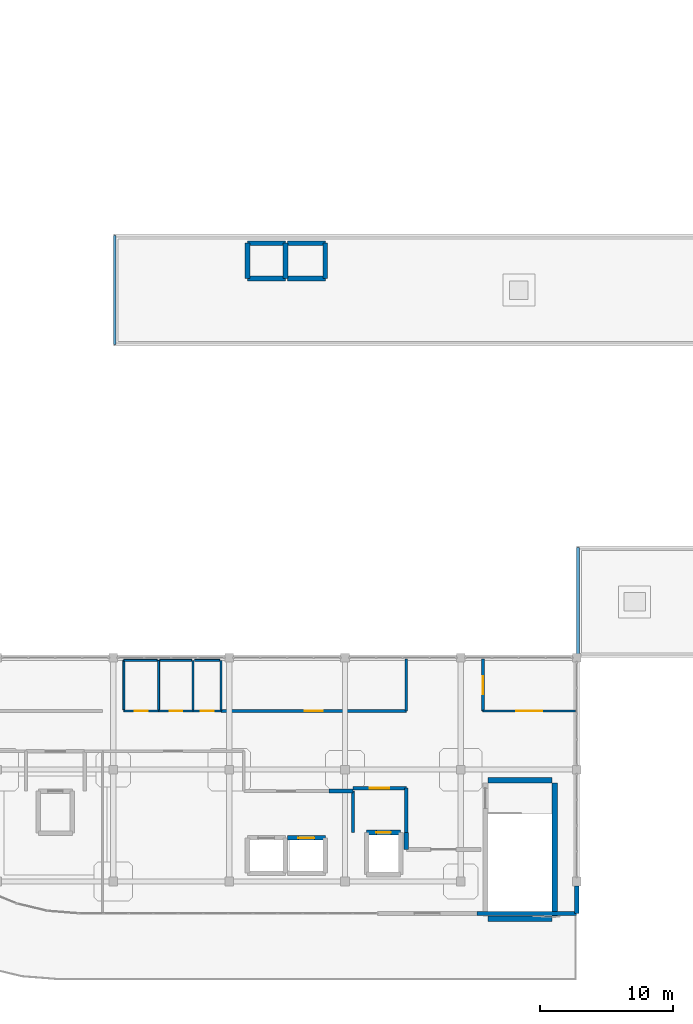
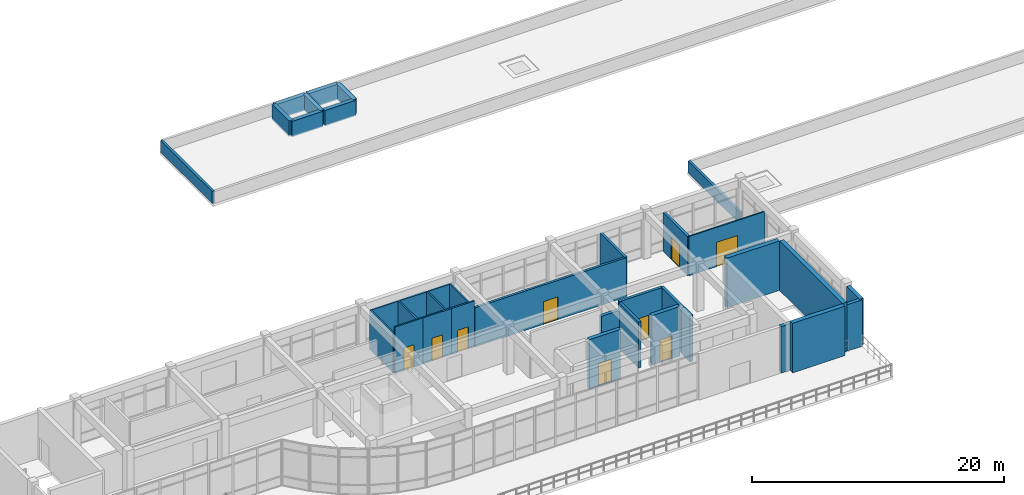
# One storey, part 37 of 41: 35 walls, 9 doors, 9 openings.
"""IFC4 building model written with IfcOpenShell, lengths in metres."""

import ifcopenshell
import ifcopenshell.guid

model = None  # the IFC model being written
_history = None  # IfcOwnerHistory: only IFC2X3 demands one
_inside = {}  # id of a spatial element -> (the spatial element, [elements in it])
_under = {}  # id of a project, library or spatial element -> (it, [spatial elements below it])
_declared = {}  # id of a project -> (the project, [libraries it declares])
_typed = {}  # id of a type object -> (the type object, [elements of that type])
_made_of = {}  # id of a material, layer set ... -> (it, [elements and type objects made of it])


def new_model(schema):
    """Start an empty IFC model of exactly this schema.

    Asked for "IFC4X3", IfcOpenShell would pick the latest addendum, in which some entities
    have other attributes; the version numbers below select the first issue.
    IFC2X3 requires an IfcOwnerHistory on every rooted entity: one is made here for all.
    """
    global model, _history
    if schema == "IFC4X3":
        model = ifcopenshell.file(schema_version=(4, 3, 0, 0))
    else:
        model = ifcopenshell.file(schema=schema)
    _inside.clear()
    _under.clear()
    _declared.clear()
    _typed.clear()
    _made_of.clear()
    _history = None
    if model.schema == "IFC2X3":
        org = make("IfcOrganization", Name="unknown")
        user = make(
            "IfcPersonAndOrganization",
            ThePerson=make("IfcPerson", FamilyName="unknown"),
            TheOrganization=org,
        )
        app = make(
            "IfcApplication",
            ApplicationDeveloper=org,
            Version="unknown",
            ApplicationFullName="unknown",
            ApplicationIdentifier="unknown",
        )
        _history = make(
            "IfcOwnerHistory",
            OwningUser=user,
            OwningApplication=app,
            ChangeAction="ADDED",
            CreationDate=0,
        )
    return model


def make(cls, **values):
    """One entity of the class cls with the attributes given. An attribute that is None is left unset."""
    return model.create_entity(
        cls, **{name: value for name, value in values.items() if value is not None}
    )


def rooted(cls, **values):
    """An entity with a GlobalId (a new one), such as an element, a storey or a relation."""
    return make(cls, GlobalId=ifcopenshell.guid.new(), OwnerHistory=_history, **values)


def si_unit(unit_type, name, prefix=None):
    """IfcSIUnit, for example si_unit("LENGTHUNIT", "METRE", prefix="MILLI")."""
    return make("IfcSIUnit", UnitType=unit_type, Prefix=prefix, Name=name)


def derived_unit(unit_type, elements):
    """IfcDerivedUnit: a product of units, each with its exponent."""
    return make(
        "IfcDerivedUnit",
        Elements=[
            make("IfcDerivedUnitElement", Unit=unit, Exponent=power)
            for unit, power in elements
        ],
        UnitType=unit_type,
    )


def assignment(units):
    """IfcUnitAssignment: the units of a project."""
    return None if units is None else make("IfcUnitAssignment", Units=units)


def point(xyz):
    """IfcCartesianPoint."""
    return None if xyz is None else make("IfcCartesianPoint", Coordinates=xyz)


def direction(xyz):
    """IfcDirection."""
    return None if xyz is None else make("IfcDirection", DirectionRatios=xyz)


def frame(location, z_axis=None, x_axis=None):
    """IfcAxis2Placement3D, a coordinate frame: its origin and axes. An axis left out is left unset."""
    return make(
        "IfcAxis2Placement3D",
        Location=point(location),
        Axis=direction(z_axis),
        RefDirection=direction(x_axis),
    )


def frame_2d(location, x_axis=None):
    """IfcAxis2Placement2D, a coordinate frame in the plane: its origin and x axis."""
    return make(
        "IfcAxis2Placement2D", Location=point(location), RefDirection=direction(x_axis)
    )


def origin():
    """The frame at (0, 0, 0) with its axes left unset."""
    return frame((0.0, 0.0, 0.0))


def place(relative_to, where):
    """IfcLocalPlacement: puts the frame where relative to a parent placement (None: the world)."""
    return make(
        "IfcLocalPlacement", PlacementRelTo=relative_to, RelativePlacement=where
    )


def context(
    kind, dimensions, precision=None, world=None, true_north=None, identifier=None
):
    """IfcGeometricRepresentationContext, for example the 3D "Model" context."""
    return make(
        "IfcGeometricRepresentationContext",
        ContextIdentifier=identifier,
        ContextType=kind,
        CoordinateSpaceDimension=dimensions,
        Precision=precision,
        WorldCoordinateSystem=world,
        TrueNorth=true_north,
    )


def subcontext(parent, identifier, kind, view, scale=None):
    """IfcGeometricRepresentationSubContext, for example "Body" below "Model"."""
    return make(
        "IfcGeometricRepresentationSubContext",
        ContextIdentifier=identifier,
        ContextType=kind,
        ParentContext=parent,
        TargetScale=scale,
        TargetView=view,
    )


def project(units=None, contexts=None):
    """IfcProject with its units and contexts."""
    return rooted(
        "IfcProject",
        Name="project",
        RepresentationContexts=contexts,
        UnitsInContext=assignment(units),
    )


def spatial(cls, under=None, at=None, **own):
    """A site, building, storey or space (cls), placed at a placement, below another one or the project."""
    s = rooted(cls, ObjectPlacement=at, **own)
    if under is not None:
        _under.setdefault(under.id(), (under, []))[1].append(s)
    return s


def profile(cls, at=None, kind="AREA", **sizes):
    """A parametric profile (cls). Its sizes go by their IFC names, for example OverallWidth=200.0."""
    return make(cls, ProfileType=kind, Position=at, **sizes)


def rectangle(**sizes):
    """IfcRectangleProfileDef."""
    return profile("IfcRectangleProfileDef", **sizes)


def extrude(swept, where, along, depth):
    """IfcExtrudedAreaSolid: the profile swept, set in the frame where, extruded along a direction by depth."""
    return make(
        "IfcExtrudedAreaSolid",
        SweptArea=swept,
        Position=where,
        ExtrudedDirection=direction(along),
        Depth=depth,
    )


def shape(context_of_items, identifier, shape_type, items):
    """IfcShapeRepresentation: the items that make up one representation, for example the "Body"."""
    return make(
        "IfcShapeRepresentation",
        ContextOfItems=context_of_items,
        RepresentationIdentifier=identifier,
        RepresentationType=shape_type,
        Items=items,
    )


def material(Name=None, Category=None):
    """IfcMaterial."""
    return make("IfcMaterial", Name=Name, Category=Category)


def layer(
    of_material, thickness, ventilated=None, Name=None, Category=None, Priority=None
):
    """IfcMaterialLayer: one layer of a wall or slab, of a material (None: an air gap)."""
    return make(
        "IfcMaterialLayer",
        Material=of_material,
        LayerThickness=thickness,
        IsVentilated=ventilated,
        Name=Name,
        Category=Category,
        Priority=Priority,
    )


def layer_set(layers, Name=None):
    """IfcMaterialLayerSet."""
    return make("IfcMaterialLayerSet", MaterialLayers=layers, LayerSetName=Name)


def made_of(thing, what):
    """Note that an element or type object is made of a material, layer set ...; save() writes the relation."""
    if what is not None:
        _made_of.setdefault(what.id(), (what, []))[1].append(thing)
    return thing


def type_object(cls, material=None, **own):
    """A type object (cls), such as IfcWallType, which elements share."""
    return made_of(rooted(cls, **own), material)


def element(
    cls,
    number,
    at=None,
    inside=None,
    cuts=None,
    type_object=None,
    material=None,
    context=None,
    identifier="Body",
    shape_type=None,
    held_by="IfcProductDefinitionShape",
    body=None,
    shapes=None,
    **own,
):
    """One element of the class cls, such as IfcWall. Its Tag is "e" and its number.

    at: its placement. inside: the storey or other place that contains it. cuts: it is an
    opening in that element (IfcRelVoidsElement). A single representation is given by context,
    identifier, shape_type and body (its items); several are given by shapes. held_by: the class
    of the entity that holds the representations. save() writes the other relations.
    """
    e = rooted(cls, Tag="e%d" % number, ObjectPlacement=at, **own)
    if body is not None:
        shapes = [shape(context, identifier, shape_type, body)]
    if shapes is not None:
        e.Representation = make(held_by, Representations=shapes)
    if inside is not None:
        _inside.setdefault(inside.id(), (inside, []))[1].append(e)
    if cuts is not None:
        rooted(
            "IfcRelVoidsElement", RelatingBuildingElement=cuts, RelatedOpeningElement=e
        )
    if type_object is not None:
        _typed.setdefault(type_object.id(), (type_object, []))[1].append(e)
    return made_of(e, material)


def fill(opening, filler):
    """IfcRelFillsElement: the door or window that sits in an opening."""
    return rooted(
        "IfcRelFillsElement",
        RelatingOpeningElement=opening,
        RelatedBuildingElement=filler,
    )


def aggregate(whole, parts):
    """IfcRelAggregates: a whole, such as a stair, and the parts it consists of."""
    return rooted("IfcRelAggregates", RelatingObject=whole, RelatedObjects=parts)


def save(model, path):
    """Write the relations noted so far, then the file.

    IfcRelAggregates (storeys below a building ...), IfcRelContainedInSpatialStructure (elements
    in a storey), IfcRelDefinesByType, IfcRelAssociatesMaterial and IfcRelDeclares: one each for
    every whole, place, type object, material and project.
    """
    for whole, parts in _under.values():
        aggregate(whole, parts)
    for where, things in _inside.values():
        rooted(
            "IfcRelContainedInSpatialStructure",
            RelatedElements=things,
            RelatingStructure=where,
        )
    for kind, things in _typed.values():
        rooted("IfcRelDefinesByType", RelatedObjects=things, RelatingType=kind)
    for what, things in _made_of.values():
        rooted("IfcRelAssociatesMaterial", RelatedObjects=things, RelatingMaterial=what)
    for by, libraries in _declared.values():
        rooted("IfcRelDeclares", RelatingContext=by, RelatedDefinitions=libraries)
    model.write(path)


model = new_model("IFC4")

# Units and contexts
model_context = context("Model", 3, precision=1e-05, world=origin(), true_north=direction((0.0, 1.0)))
body_context = subcontext(model_context, "Body", "Model", "MODEL_VIEW")
ifc_project = project(units=[si_unit("LENGTHUNIT", "METRE"), si_unit("AREAUNIT", "SQUARE_METRE"), si_unit("VOLUMEUNIT", "CUBIC_METRE"), si_unit("PLANEANGLEUNIT", "RADIAN"), si_unit("MASSUNIT", "GRAM", prefix="KILO"), derived_unit("THERMALTRANSMITTANCEUNIT", [(si_unit("MASSUNIT", "GRAM", prefix="KILO"), 1), (si_unit("TIMEUNIT", "SECOND"), -3), (si_unit("THERMODYNAMICTEMPERATUREUNIT", "KELVIN"), -1)])], contexts=[model_context])

# Site, building, storey
site_placement = place(None, origin())
site = spatial("IfcSite", under=ifc_project, at=site_placement, CompositionType="ELEMENT")
building_placement = place(site_placement, origin())
building = spatial("IfcBuilding", under=site, at=building_placement, Name="Qinzheling Arcade Emporium", CompositionType="ELEMENT")
storey_placement = place(building_placement, frame((0.0, 0.0, 36.300048828125)))
storey = spatial("IfcBuildingStorey", under=building, at=storey_placement, Name="L08", CompositionType="ELEMENT", Elevation=36.300048828125)

# Wall, opening, door
ifc_material_1 = material(Name="Double-stud acoustic gypsum board partition")
ifc_layer_1 = layer(ifc_material_1, 0.215087890625, Name="Double-stud acoustic gypsum board partition")
ifc_layer_set_1 = layer_set([ifc_layer_1], Name="Double-stud acoustic gypsum board partition")
wall_type_1 = type_object("IfcWallType", Name="Acoustic Corridor Partition Wall 215", PredefinedType="PARTITIONING", material=ifc_layer_set_1)
wall_1_placement = place(storey_placement, frame((62.550048828125, 41.89990234375, 0.0), z_axis=(0.0, 0.0, 1.0), x_axis=(0.0, -1.0, 0.0)))
wall_1 = element("IfcWall", 1, at=wall_1_placement, inside=storey, type_object=wall_type_1, Name="Interior Wall WL-L08-INT-1010", PredefinedType="PARTITIONING", context=body_context, shape_type="SweptSolid", body=[
    extrude(rectangle(XDim=3.89990234375, YDim=0.215087890625, at=frame_2d((1.949951171875, 0.0))), origin(), (0.0, 0.0, 1.0), 3.800048828125),
])
opening_1_placement = place(wall_1_placement, frame((1.27490234375, 0.0, 0.0)))
opening_1 = element("IfcOpeningElement", 2, at=opening_1_placement, cuts=wall_1, Name="Opening FD05", PredefinedType="OPENING", context=body_context, shape_type="SweptSolid", body=[
    extrude(rectangle(XDim=1.35009765625, YDim=2.199951171875, at=frame_2d((0.675048828125, 1.10009765625))), frame((0.0, 0.11767578125, 0.0), z_axis=(0.0, -1.0, 0.0), x_axis=(1.0, 0.0, 0.0)), (0.0, 0.0, 1.0), 0.235107421875),
])
ifc_material_2 = material(Name="Class B fire-rated stainless-clad door")
door_type_1 = type_object("IfcDoorType", Name="Kitchen Fire-Rated Service Door 1350x2200", OperationType="NOTDEFINED", PredefinedType="DOOR", material=ifc_material_2)
door_1_placement = place(opening_1_placement, origin())
door_1 = element("IfcDoor", 3, at=door_1_placement, inside=storey, type_object=door_type_1, Name="FD05 Interior Door DR-L08-INT-0298", OperationType="SINGLE_SWING_LEFT", OverallHeight=2.199951171875, OverallWidth=1.35009765625, PredefinedType="DOOR", context=body_context, shape_type="SweptSolid", body=[
    extrude(rectangle(XDim=1.35009765625, YDim=2.199951171875, at=frame_2d((0.675048828125, 1.10009765625))), frame((0.0, 0.02490234375, 0.0), z_axis=(0.0, -1.0, 0.0), x_axis=(1.0, 0.0, 0.0)), (0.0, 0.0, 1.0), 0.050048828125),
])
fill(opening_1, door_1)

wall_2_placement = place(storey_placement, frame((42.89990234375, 38.0, 0.0), z_axis=(0.0, 0.0, 1.0), x_axis=(1.0, 0.0, 0.0)))
wall_2 = element("IfcWall", 4, at=wall_2_placement, inside=storey, type_object=wall_type_1, Name="Interior Wall WL-L08-INT-1011", PredefinedType="PARTITIONING", context=body_context, shape_type="SweptSolid", body=[
    extrude(rectangle(XDim=13.900146484375, YDim=0.215087890625, at=frame_2d((6.9501953125, 0.0))), origin(), (0.0, 0.0, 1.0), 3.800048828125),
])
opening_2_placement = place(wall_2_placement, frame((6.27490234375, 0.0, 0.0)))
opening_2 = element("IfcOpeningElement", 5, at=opening_2_placement, cuts=wall_2, Name="Opening FD05", PredefinedType="OPENING", context=body_context, shape_type="SweptSolid", body=[
    extrude(rectangle(XDim=1.35009765625, YDim=2.199951171875, at=frame_2d((0.675048828125, 1.10009765625))), frame((0.0, 0.11767578125, 0.0), z_axis=(0.0, -1.0, 0.0), x_axis=(1.0, 0.0, 0.0)), (0.0, 0.0, 1.0), 0.235107421875),
])
door_2_placement = place(opening_2_placement, origin())
door_2 = element("IfcDoor", 6, at=door_2_placement, inside=storey, type_object=door_type_1, Name="FD05 Interior Door DR-L08-INT-0299", OperationType="SINGLE_SWING_RIGHT", OverallHeight=2.199951171875, OverallWidth=1.35009765625, PredefinedType="DOOR", context=body_context, shape_type="SweptSolid", body=[
    extrude(rectangle(XDim=1.35009765625, YDim=2.199951171875, at=frame_2d((0.675048828125, 1.10009765625))), frame((0.0, 0.02490234375, 0.0), z_axis=(0.0, -1.0, 0.0), x_axis=(1.0, 0.0, 0.0)), (0.0, 0.0, 1.0), 0.050048828125),
])
fill(opening_2, door_2)

# Walls
wall_3_placement = place(storey_placement, frame((56.800048828125, 38.0, 0.0), z_axis=(0.0, 0.0, 1.0), x_axis=(0.0, 1.0, 0.0)))
element("IfcWall", 7, at=wall_3_placement, inside=storey, type_object=wall_type_1, Name="Interior Wall WL-L08-INT-1012", PredefinedType="PARTITIONING", context=body_context, shape_type="SweptSolid", body=[
    extrude(rectangle(XDim=3.89990234375, YDim=0.215087890625, at=frame_2d((1.949951171875, 0.0))), origin(), (0.0, 0.0, 1.0), 3.800048828125),
])
ifc_material_3 = material(Name="Celadon glazed terracotta insulated spandrel", Category="masonry")
ifc_layer_2 = layer(ifc_material_3, 0.340087890625, Name="Celadon glazed terracotta insulated spandrel", Category="masonry")
ifc_layer_set_2 = layer_set([ifc_layer_2], Name="Celadon glazed terracotta insulated spandrel")
wall_type_2 = type_object("IfcWallType", Name="Celadon Spandrel Infill Wall 340", PredefinedType="STANDARD", material=ifc_layer_set_2)
wall_4_placement = place(storey_placement, frame((69.60009765625, 24.873046875, 0.0), z_axis=(0.0, 0.0, 1.0), x_axis=(0.0, -1.0, 0.0)))
element("IfcWall", 8, at=wall_4_placement, inside=storey, type_object=wall_type_2, Name="Exterior Wall WL-L08-EW-0385", PredefinedType="STANDARD", context=body_context, shape_type="SweptSolid", body=[
    extrude(rectangle(XDim=2.072998046875, YDim=0.340087890625, at=frame_2d((1.03662109375, 0.0))), origin(), (0.0, 0.0, 1.0), 4.489990234375),
])
ifc_material_4 = material(Name="Glazed cream terracotta insulated wall", Category="masonry")
ifc_layer_3 = layer(ifc_material_4, 0.320068359375, Name="Glazed cream terracotta insulated wall", Category="masonry")
ifc_layer_set_3 = layer_set([ifc_layer_3], Name="Glazed cream terracotta insulated wall")
wall_type_3 = type_object("IfcWallType", Name="Chicago Frame Infill Wall 320", PredefinedType="STANDARD", material=ifc_layer_set_3)
wall_5_placement = place(storey_placement, frame((69.60009765625, 22.800048828125, 0.0), z_axis=(0.0, 0.0, 1.0), x_axis=(-1.0, 0.0, 0.0)))
element("IfcWall", 9, at=wall_5_placement, inside=storey, type_object=wall_type_3, Name="Exterior Wall WL-L08-EW-0386", PredefinedType="STANDARD", context=body_context, shape_type="SweptSolid", body=[
    extrude(rectangle(XDim=7.47802734375, YDim=0.320068359375, at=frame_2d((3.739013671875, 0.0))), origin(), (0.0, 0.0, 1.0), 4.489990234375),
])
ifc_material_5 = material(Name="Concrete C40", Category="concrete")
ifc_layer_4 = layer(ifc_material_5, 0.35498046875, Name="Concrete C40", Category="concrete")
ifc_layer_set_4 = layer_set([ifc_layer_4], Name="Concrete C40")
wall_type_4 = type_object("IfcWallType", Name="Exterior Lift Overrun Shear Wall 355 C40", PredefinedType="SHEAR", material=ifc_layer_set_4)
for number, where, z_axis, x_axis, name in (
    (10, (44.875, 73.125, 0.0), (0.0, 0.0, 1.0), (1.0, 0.0, 0.0), "Lift Overrun Wall WL-L08-OVR-LP03-N"),
    (11, (47.72509765625, 70.47509765625, 0.0), (0.0, 0.0, 1.0), (-1.0, 0.0, 0.0), "Lift Overrun Wall WL-L08-OVR-LP03-S"),
):
    element("IfcWall", number, at=place(storey_placement, frame(where, z_axis=z_axis, x_axis=x_axis)), inside=storey, type_object=wall_type_4, Name=name, PredefinedType="SHEAR", context=body_context, shape_type="SweptSolid", body=[
        extrude(rectangle(XDim=2.85009765625, YDim=0.35498046875, at=frame_2d((1.425048828125, 0.0))), origin(), (0.0, 0.0, 1.0), 1.5),
    ])
for number, where, z_axis, x_axis, name in (
    (12, (44.875, 70.47509765625, 0.0), (0.0, 0.0, 1.0), (0.0, 1.0, 0.0), "Lift Overrun Wall WL-L08-OVR-LP03-W"),
    (13, (47.72509765625, 73.125, 0.0), (0.0, 0.0, 1.0), (0.0, -1.0, 0.0), "Lift Overrun Wall WL-L08-OVR-LP03-E"),
):
    element("IfcWall", number, at=place(storey_placement, frame(where, z_axis=z_axis, x_axis=x_axis)), inside=storey, type_object=wall_type_4, Name=name, PredefinedType="SHEAR", context=body_context, shape_type="SweptSolid", body=[
        extrude(rectangle(XDim=2.64990234375, YDim=0.35498046875, at=frame_2d((1.324951171875, 0.0))), origin(), (0.0, 0.0, 1.0), 1.5),
    ])
for number, where, z_axis, x_axis, name in (
    (14, (47.875, 73.125, 0.0), (0.0, 0.0, 1.0), (1.0, 0.0, 0.0), "Lift Overrun Wall WL-L08-OVR-LP04-N"),
    (15, (50.72509765625, 70.47509765625, 0.0), (0.0, 0.0, 1.0), (-1.0, 0.0, 0.0), "Lift Overrun Wall WL-L08-OVR-LP04-S"),
):
    element("IfcWall", number, at=place(storey_placement, frame(where, z_axis=z_axis, x_axis=x_axis)), inside=storey, type_object=wall_type_4, Name=name, PredefinedType="SHEAR", context=body_context, shape_type="SweptSolid", body=[
        extrude(rectangle(XDim=2.85009765625, YDim=0.35498046875, at=frame_2d((1.425048828125, 0.0))), origin(), (0.0, 0.0, 1.0), 1.5),
    ])
wall_6_placement = place(storey_placement, frame((50.72509765625, 73.125, 0.0), z_axis=(0.0, 0.0, 1.0), x_axis=(0.0, -1.0, 0.0)))
element("IfcWall", 16, at=wall_6_placement, inside=storey, type_object=wall_type_4, Name="Lift Overrun Wall WL-L08-OVR-LP04-E", PredefinedType="SHEAR", context=body_context, shape_type="SweptSolid", body=[
    extrude(rectangle(XDim=2.64990234375, YDim=0.35498046875, at=frame_2d((1.324951171875, 0.0))), origin(), (0.0, 0.0, 1.0), 1.5),
])

# Wall, opening, door
ifc_material_6 = material(Name="Fire-rated double-stud gypsum and mineral wool wall")
ifc_layer_5 = layer(ifc_material_6, 0.2451171875, Name="Fire-rated double-stud gypsum and mineral wool wall")
ifc_layer_set_5 = layer_set([ifc_layer_5], Name="Fire-rated double-stud gypsum and mineral wool wall")
wall_type_5 = type_object("IfcWallType", Name="Firefighting Lobby Rated Wall 245", PredefinedType="STANDARD", material=ifc_layer_set_5)
wall_7_placement = place(storey_placement, frame((52.800048828125, 32.199951171875, 0.0), z_axis=(0.0, 0.0, 1.0), x_axis=(1.0, 0.0, 0.0)))
wall_7 = element("IfcWall", 17, at=wall_7_placement, inside=storey, type_object=wall_type_5, Name="Interior Wall WL-L08-INT-0967", PredefinedType="STANDARD", context=body_context, shape_type="SweptSolid", body=[
    extrude(rectangle(XDim=4.0, YDim=0.2451171875, at=frame_2d((2.0, 0.0))), origin(), (0.0, 0.0, 1.0), 4.4599609375),
])
opening_3_placement = place(wall_7_placement, frame((1.27490234375, 0.0, 0.0)))
opening_3 = element("IfcOpeningElement", 18, at=opening_3_placement, cuts=wall_7, Name="Opening FD02", PredefinedType="OPENING", context=body_context, shape_type="SweptSolid", body=[
    extrude(rectangle(XDim=1.449951171875, YDim=2.199951171875, at=frame_2d((0.72509765625, 1.10009765625))), frame((0.0, 0.132568359375, 0.0), z_axis=(0.0, -1.0, 0.0), x_axis=(1.0, 0.0, 0.0)), (0.0, 0.0, 1.0), 0.26513671875),
])
ifc_material_7 = material(Name="Class A fire-rated steel double door", Category="steel")
door_type_2 = type_object("IfcDoorType", Name="Firefighting Lobby Fire Door 1450x2200", OperationType="DOUBLE_DOOR_SINGLE_SWING", PredefinedType="DOOR", material=ifc_material_7)
door_3_placement = place(opening_3_placement, origin())
door_3 = element("IfcDoor", 19, at=door_3_placement, inside=storey, type_object=door_type_2, Name="FD02 Interior Door DR-L08-INT-0284", OperationType="DOUBLE_DOOR_SINGLE_SWING", OverallHeight=2.199951171875, OverallWidth=1.449951171875, PredefinedType="DOOR", context=body_context, shape_type="SweptSolid", body=[
    extrude(rectangle(XDim=1.449951171875, YDim=2.199951171875, at=frame_2d((0.72509765625, 1.10009765625))), frame((0.0, 0.02490234375, 0.0), z_axis=(0.0, -1.0, 0.0), x_axis=(1.0, 0.0, 0.0)), (0.0, 0.0, 1.0), 0.050048828125),
])
fill(opening_3, door_3)

# Walls
wall_8_placement = place(storey_placement, frame((56.800048828125, 32.199951171875, 0.0), z_axis=(0.0, 0.0, 1.0), x_axis=(0.0, -1.0, 0.0)))
element("IfcWall", 20, at=wall_8_placement, inside=storey, type_object=wall_type_5, Name="Interior Wall WL-L08-INT-0968", PredefinedType="STANDARD", context=body_context, shape_type="SweptSolid", body=[
    extrude(rectangle(XDim=3.320068359375, YDim=0.2451171875, at=frame_2d((1.66015625, 0.0))), origin(), (0.0, 0.0, 1.0), 4.4599609375),
])
wall_9_placement = place(storey_placement, frame((52.800048828125, 28.8798828125, 0.0), z_axis=(0.0, 0.0, 1.0), x_axis=(0.0, 1.0, 0.0)))
element("IfcWall", 21, at=wall_9_placement, inside=storey, type_object=wall_type_5, Name="Interior Wall WL-L08-INT-0969", PredefinedType="STANDARD", context=body_context, shape_type="SweptSolid", body=[
    extrude(rectangle(XDim=3.1201171875, YDim=0.2451171875, at=frame_2d((1.56005859375, 0.0))), origin(), (0.0, 0.0, 1.0), 4.4599609375),
])

# Wall, opening, door
ifc_material_8 = material(Name="Lightweight gypsum studio partition")
ifc_layer_6 = layer(ifc_material_8, 0.125, Name="Lightweight gypsum studio partition")
ifc_layer_set_6 = layer_set([ifc_layer_6], Name="Lightweight gypsum studio partition")
wall_type_6 = type_object("IfcWallType", Name="Merchandising Studio Partition Wall 125", PredefinedType="PARTITIONING", material=ifc_layer_set_6)
wall_10_placement = place(storey_placement, frame((69.5, 38.0, 0.0), z_axis=(0.0, 0.0, 1.0), x_axis=(-1.0, 0.0, 0.0)))
wall_10 = element("IfcWall", 22, at=wall_10_placement, inside=storey, type_object=wall_type_6, Name="Interior Wall WL-L08-INT-1014", PredefinedType="PARTITIONING", context=body_context, shape_type="SweptSolid", body=[
    extrude(rectangle(XDim=6.949951171875, YDim=0.125, at=frame_2d((3.47509765625, 0.0))), origin(), (0.0, 0.0, 1.0), 3.800048828125),
])
opening_4_placement = place(wall_10_placement, frame((2.5, 0.0, 0.0)))
opening_4 = element("IfcOpeningElement", 23, at=opening_4_placement, cuts=wall_10, Name="Opening D02", PredefinedType="OPENING", context=body_context, shape_type="SweptSolid", body=[
    extrude(rectangle(XDim=1.949951171875, YDim=2.35009765625, at=frame_2d((0.97509765625, 1.175048828125))), frame((0.0, 0.072509765625, 0.0), z_axis=(0.0, -1.0, 0.0), x_axis=(1.0, 0.0, 0.0)), (0.0, 0.0, 1.0), 0.14501953125),
])
ifc_material_9 = material(Name="Bronze-framed tempered glass double door", Category="glass")
door_type_3 = type_object("IfcDoorType", Name="Boutique Entrance Double Door 1950x2350", OperationType="DOUBLE_DOOR_SINGLE_SWING", PredefinedType="DOOR", material=ifc_material_9)
door_4_placement = place(opening_4_placement, origin())
door_4 = element("IfcDoor", 24, at=door_4_placement, inside=storey, type_object=door_type_3, Name="D02 Interior Door DR-L08-INT-0305", OperationType="DOUBLE_DOOR_SINGLE_SWING", OverallHeight=2.35009765625, OverallWidth=1.949951171875, PredefinedType="DOOR", context=body_context, shape_type="SweptSolid", body=[
    extrude(rectangle(XDim=1.949951171875, YDim=2.35009765625, at=frame_2d((0.97509765625, 1.175048828125))), frame((0.0, 0.02490234375, 0.0), z_axis=(0.0, -1.0, 0.0), x_axis=(1.0, 0.0, 0.0)), (0.0, 0.0, 1.0), 0.050048828125),
])
fill(opening_4, door_4)

# Walls
ifc_material_10 = material(Name="Moisture-resistant shaftliner gypsum board")
ifc_layer_7 = layer(ifc_material_10, 0.155029296875, Name="Moisture-resistant shaftliner gypsum board")
ifc_layer_set_7 = layer_set([ifc_layer_7], Name="Moisture-resistant shaftliner gypsum board")
wall_type_7 = type_object("IfcWallType", Name="Plumbing and Service Riser Wall 155", PredefinedType="MOVABLE", material=ifc_layer_set_7)
for number, where, z_axis, x_axis, name in (
    (25, (40.800048828125, 41.800048828125, 0.0), (0.0, 0.0, 1.0), (0.0, -1.0, 0.0), "Interior Wall WL-L08-INT-0982"),
    (26, (42.89990234375, 41.800048828125, 0.0), (0.0, 0.0, 1.0), (0.0, -1.0, 0.0), "Interior Wall WL-L08-INT-0985"),
):
    element("IfcWall", number, at=place(storey_placement, frame(where, z_axis=z_axis, x_axis=x_axis)), inside=storey, type_object=wall_type_7, Name=name, PredefinedType="MOVABLE", context=body_context, shape_type="SweptSolid", body=[
        extrude(rectangle(XDim=3.800048828125, YDim=0.155029296875, at=frame_2d((1.89990234375, 0.0))), origin(), (0.0, 0.0, 1.0), 3.800048828125),
    ])

# Wall, opening, door
ifc_layer_8 = layer(ifc_material_5, 0.35009765625, Name="Concrete C40", Category="concrete")
ifc_layer_set_8 = layer_set([ifc_layer_8], Name="Concrete C40")
wall_type_8 = type_object("IfcWallType", Name="RC Lift Shaft Shear Wall 350 C40", PredefinedType="SHEAR", material=ifc_layer_set_8)
wall_11_placement = place(storey_placement, frame((53.824951171875, 28.875, 0.0), z_axis=(0.0, 0.0, 1.0), x_axis=(1.0, 0.0, 0.0)))
wall_11 = element("IfcWall", 27, at=wall_11_placement, inside=storey, type_object=wall_type_8, Name="Lift Shaft Wall WL-L08-LFT-LF01-N", PredefinedType="SHEAR", context=body_context, shape_type="SweptSolid", body=[
    extrude(rectangle(XDim=2.550048828125, YDim=0.35009765625, at=frame_2d((1.27490234375, 0.0))), origin(), (0.0, 0.0, 1.0), 4.800048828125),
])
opening_5_placement = place(wall_11_placement, frame((0.72509765625, 0.0, 0.0)))
opening_5 = element("IfcOpeningElement", 28, at=opening_5_placement, cuts=wall_11, Name="Opening LD01", PredefinedType="OPENING", context=body_context, shape_type="SweptSolid", body=[
    extrude(rectangle(XDim=1.10009765625, YDim=2.199951171875, at=frame_2d((0.550048828125, 1.10009765625))), frame((0.0, 0.18505859375, 0.0), z_axis=(0.0, -1.0, 0.0), x_axis=(1.0, 0.0, 0.0)), (0.0, 0.0, 1.0), 0.3701171875),
])
ifc_material_11 = material(Name="Fire-rated stainless steel sliding lift door", Category="steel")
door_type_4 = type_object("IfcDoorType", Name="Firefighting Lift Sliding Landing Door 1100x2200", OperationType="DOUBLE_DOOR_SLIDING", PredefinedType="DOOR", material=ifc_material_11)
door_5_placement = place(opening_5_placement, origin())
door_5 = element("IfcDoor", 29, at=door_5_placement, inside=storey, type_object=door_type_4, Name="LD01 Lift Landing Door LF01 L08", OperationType="DOUBLE_DOOR_SLIDING", OverallHeight=2.199951171875, OverallWidth=1.10009765625, PredefinedType="DOOR", context=body_context, shape_type="SweptSolid", body=[
    extrude(rectangle(XDim=1.10009765625, YDim=2.199951171875, at=frame_2d((0.550048828125, 1.10009765625))), frame((0.0, 0.02490234375, 0.0), z_axis=(0.0, -1.0, 0.0), x_axis=(1.0, 0.0, 0.0)), (0.0, 0.0, 1.0), 0.050048828125),
])
fill(opening_5, door_5)

wall_12_placement = place(storey_placement, frame((47.875, 28.47509765625, 0.0), z_axis=(0.0, 0.0, 1.0), x_axis=(1.0, 0.0, 0.0)))
wall_12 = element("IfcWall", 30, at=wall_12_placement, inside=storey, type_object=wall_type_8, Name="Lift Shaft Wall WL-L08-LFT-LP02-N", PredefinedType="SHEAR", context=body_context, shape_type="SweptSolid", body=[
    extrude(rectangle(XDim=2.85009765625, YDim=0.35009765625, at=frame_2d((1.425048828125, 0.0))), origin(), (0.0, 0.0, 1.0), 4.800048828125),
])
opening_6_placement = place(wall_12_placement, frame((0.824951171875, 0.0, 0.0)))
opening_6 = element("IfcOpeningElement", 31, at=opening_6_placement, cuts=wall_12, Name="Opening LD02", PredefinedType="OPENING", context=body_context, shape_type="SweptSolid", body=[
    extrude(rectangle(XDim=1.199951171875, YDim=2.199951171875, at=frame_2d((0.60009765625, 1.10009765625))), frame((0.0, 0.18505859375, 0.0), z_axis=(0.0, -1.0, 0.0), x_axis=(1.0, 0.0, 0.0)), (0.0, 0.0, 1.0), 0.3701171875),
])
ifc_material_12 = material(Name="Brushed bronze stainless sliding lift door")
door_type_5 = type_object("IfcDoorType", Name="Passenger Lift Sliding Landing Door 1200x2200", OperationType="DOUBLE_DOOR_SLIDING", PredefinedType="DOOR", material=ifc_material_12)
door_6_placement = place(opening_6_placement, origin())
door_6 = element("IfcDoor", 32, at=door_6_placement, inside=storey, type_object=door_type_5, Name="LD02 Lift Landing Door LP02 L08", OperationType="DOUBLE_DOOR_SLIDING", OverallHeight=2.199951171875, OverallWidth=1.199951171875, PredefinedType="DOOR", context=body_context, shape_type="SweptSolid", body=[
    extrude(rectangle(XDim=1.199951171875, YDim=2.199951171875, at=frame_2d((0.60009765625, 1.10009765625))), frame((0.0, 0.02490234375, 0.0), z_axis=(0.0, -1.0, 0.0), x_axis=(1.0, 0.0, 0.0)), (0.0, 0.0, 1.0), 0.050048828125),
])
fill(opening_6, door_6)

# Walls
ifc_material_13 = material(Name="Concrete C50", Category="concrete")
ifc_layer_9 = layer(ifc_material_13, 0.39990234375, Name="Concrete C50", Category="concrete")
ifc_layer_set_9 = layer_set([ifc_layer_9], Name="Concrete C50")
wall_type_9 = type_object("IfcWallType", Name="RC Stair Core Shear Wall 400 C50", PredefinedType="SHEAR", material=ifc_layer_set_9)
wall_13_placement = place(storey_placement, frame((67.93994140625, 32.60009765625, 0.0), z_axis=(0.0, 0.0, 1.0), x_axis=(0.0, -1.0, 0.0)))
element("IfcWall", 33, at=wall_13_placement, inside=storey, type_object=wall_type_9, Name="Stair Core Wall WL-L08-ST01-EAST", PredefinedType="SHEAR", context=body_context, shape_type="SweptSolid", body=[
    extrude(rectangle(XDim=10.0, YDim=0.39990234375, at=frame_2d((5.0, 0.0))), origin(), (0.0, 0.0, 1.0), 4.800048828125),
])
for number, where, z_axis, x_axis, name in (
    (34, (67.739990234375, 22.39990234375, 0.0), (0.0, 0.0, 1.0), (-1.0, 0.0, 0.0), "Stair Core Wall WL-L08-ST01-SOUTH"),
    (35, (62.949951171875, 32.800048828125, 0.0), (0.0, 0.0, 1.0), (1.0, 0.0, 0.0), "Stair Core Wall WL-L08-ST01-NORTH"),
):
    element("IfcWall", number, at=place(storey_placement, frame(where, z_axis=z_axis, x_axis=x_axis)), inside=storey, type_object=wall_type_9, Name=name, PredefinedType="SHEAR", context=body_context, shape_type="SweptSolid", body=[
        extrude(rectangle(XDim=4.7900390625, YDim=0.39990234375, at=frame_2d((2.39501953125, 0.0))), origin(), (0.0, 0.0, 1.0), 4.800048828125),
    ])
ifc_material_14 = material(Name="Autoclaved aerated concrete masonry with fire plaster", Category="masonry")
ifc_layer_10 = layer(ifc_material_14, 0.31005859375, Name="Autoclaved aerated concrete masonry with fire plaster", Category="masonry")
ifc_layer_set_10 = layer_set([ifc_layer_10], Name="Autoclaved aerated concrete masonry with fire plaster")
wall_type_10 = type_object("IfcWallType", Name="Retail Compartment Fire Wall 310 C40", PredefinedType="STANDARD", material=ifc_layer_set_10)
wall_14_placement = place(storey_placement, frame((52.800048828125, 32.0, 0.0), z_axis=(0.0, 0.0, 1.0), x_axis=(-1.0, 0.0, 0.0)))
element("IfcWall", 36, at=wall_14_placement, inside=storey, type_object=wall_type_10, Name="Interior Wall WL-L08-INT-1007", PredefinedType="STANDARD", context=body_context, shape_type="SweptSolid", body=[
    extrude(rectangle(XDim=1.800048828125, YDim=0.31005859375, at=frame_2d((0.89990234375, 0.0))), origin(), (0.0, 0.0, 1.0), 3.800048828125),
])
wall_15_placement = place(storey_placement, frame((56.800048828125, 27.60009765625, 0.0), z_axis=(0.0, 0.0, 1.0), x_axis=(0.0, 1.0, 0.0)))
element("IfcWall", 37, at=wall_15_placement, inside=storey, type_object=wall_type_10, Name="Interior Wall WL-L08-INT-1009", PredefinedType="STANDARD", context=body_context, shape_type="SweptSolid", body=[
    extrude(rectangle(XDim=1.27978515625, YDim=0.31005859375, at=frame_2d((0.639892578125, 0.0))), origin(), (0.0, 0.0, 1.0), 4.4599609375),
])
ifc_material_15 = material(Name="Precast concrete C40 with terracotta coping", Category="masonry")
ifc_layer_11 = layer(ifc_material_15, 0.219970703125, Name="Precast concrete C40 with terracotta coping", Category="masonry")
ifc_layer_set_11 = layer_set([ifc_layer_11], Name="Precast concrete C40 with terracotta coping")
wall_type_11 = type_object("IfcWallType", Name="Terracotta Coping Roof Parapet 220", PredefinedType="PARAPET", material=ifc_layer_set_11)
for number, where, z_axis, x_axis, name in (
    (38, (69.7099609375, 42.110107421875, 0.0), (0.0, 0.0, 1.0), (0.0, 1.0, 0.0), "Roof Parapet WL-L08-PW-060"),
    (39, (34.909912109375, 65.510009765625, 0.0), (0.0, 0.0, 1.0), (0.0, 1.0, 0.0), "Roof Parapet WL-L08-PW-064"),
):
    element("IfcWall", number, at=place(storey_placement, frame(where, z_axis=z_axis, x_axis=x_axis)), inside=storey, type_object=wall_type_11, Name=name, PredefinedType="PARAPET", context=body_context, shape_type="SweptSolid", body=[
        extrude(rectangle(XDim=8.179931640625, YDim=0.219970703125, at=frame_2d((4.08984375, 0.0))), origin(), (0.0, 0.0, 1.0), 1.14990234375),
    ])
ifc_material_16 = material(Name="Moisture-resistant cement-board WC partition")
ifc_layer_12 = layer(ifc_material_16, 0.14501953125, Name="Moisture-resistant cement-board WC partition")
ifc_layer_set_12 = layer_set([ifc_layer_12], Name="Moisture-resistant cement-board WC partition")
wall_type_12 = type_object("IfcWallType", Name="Washroom Moisture Partition Wall 145", PredefinedType="PARTITIONING", material=ifc_layer_set_12)
wall_16_placement = place(storey_placement, frame((38.199951171875, 41.800048828125, 0.0), z_axis=(0.0, 0.0, 1.0), x_axis=(0.0, -1.0, 0.0)))
element("IfcWall", 40, at=wall_16_placement, inside=storey, type_object=wall_type_12, Name="Interior Wall WL-L08-INT-0980", PredefinedType="PARTITIONING", context=body_context, shape_type="SweptSolid", body=[
    extrude(rectangle(XDim=3.800048828125, YDim=0.14501953125, at=frame_2d((1.89990234375, 0.0))), origin(), (0.0, 0.0, 1.0), 3.800048828125),
])

# Wall, opening, door
wall_17_placement = place(storey_placement, frame((38.199951171875, 38.0, 0.0), z_axis=(0.0, 0.0, 1.0), x_axis=(-1.0, 0.0, 0.0)))
wall_17 = element("IfcWall", 41, at=wall_17_placement, inside=storey, type_object=wall_type_12, Name="Interior Wall WL-L08-INT-0981", PredefinedType="PARTITIONING", context=body_context, shape_type="SweptSolid", body=[
    extrude(rectangle(XDim=2.599853515625, YDim=0.14501953125, at=frame_2d((1.2998046875, 0.0))), origin(), (0.0, 0.0, 1.0), 4.4599609375),
])
opening_7_placement = place(wall_17_placement, frame((0.824951171875, 0.0, 0.0)))
opening_7 = element("IfcOpeningElement", 42, at=opening_7_placement, cuts=wall_17, Name="Opening D12", PredefinedType="OPENING", context=body_context, shape_type="SweptSolid", body=[
    extrude(rectangle(XDim=0.949951171875, YDim=2.14990234375, at=frame_2d((0.47509765625, 1.074951171875))), frame((0.0, 0.08251953125, 0.0), z_axis=(0.0, -1.0, 0.0), x_axis=(1.0, 0.0, 0.0)), (0.0, 0.0, 1.0), 0.1650390625),
])
ifc_material_17 = material(Name="Antimicrobial high-pressure laminate door")
door_type_6 = type_object("IfcDoorType", Name="Public Male Washroom Door 950x2150", OperationType="NOTDEFINED", PredefinedType="DOOR", material=ifc_material_17)
door_7_placement = place(opening_7_placement, origin())
door_7 = element("IfcDoor", 43, at=door_7_placement, inside=storey, type_object=door_type_6, Name="D12 Interior Door DR-L08-INT-0289", OperationType="SINGLE_SWING_LEFT", OverallHeight=2.14990234375, OverallWidth=0.949951171875, PredefinedType="DOOR", context=body_context, shape_type="SweptSolid", body=[
    extrude(rectangle(XDim=0.949951171875, YDim=2.14990234375, at=frame_2d((0.47509765625, 1.074951171875))), frame((0.0, 0.02490234375, 0.0), z_axis=(0.0, -1.0, 0.0), x_axis=(1.0, 0.0, 0.0)), (0.0, 0.0, 1.0), 0.050048828125),
])
fill(opening_7, door_7)

wall_18_placement = place(storey_placement, frame((40.800048828125, 38.0, 0.0), z_axis=(0.0, 0.0, 1.0), x_axis=(-1.0, 0.0, 0.0)))
wall_18 = element("IfcWall", 44, at=wall_18_placement, inside=storey, type_object=wall_type_12, Name="Interior Wall WL-L08-INT-0983", PredefinedType="PARTITIONING", context=body_context, shape_type="SweptSolid", body=[
    extrude(rectangle(XDim=2.60009765625, YDim=0.14501953125, at=frame_2d((1.300048828125, 0.0))), origin(), (0.0, 0.0, 1.0), 4.4599609375),
])
opening_8_placement = place(wall_18_placement, frame((0.824951171875, 0.0, 0.0)))
opening_8 = element("IfcOpeningElement", 45, at=opening_8_placement, cuts=wall_18, Name="Opening D13", PredefinedType="OPENING", context=body_context, shape_type="SweptSolid", body=[
    extrude(rectangle(XDim=0.949951171875, YDim=2.199951171875, at=frame_2d((0.47509765625, 1.10009765625))), frame((0.0, 0.08251953125, 0.0), z_axis=(0.0, -1.0, 0.0), x_axis=(1.0, 0.0, 0.0)), (0.0, 0.0, 1.0), 0.1650390625),
])
door_type_7 = type_object("IfcDoorType", Name="Public Female Washroom Door 950x2200", OperationType="NOTDEFINED", PredefinedType="DOOR", material=ifc_material_17)
door_8_placement = place(opening_8_placement, origin())
door_8 = element("IfcDoor", 46, at=door_8_placement, inside=storey, type_object=door_type_7, Name="D13 Interior Door DR-L08-INT-0290", OperationType="SINGLE_SWING_RIGHT", OverallHeight=2.199951171875, OverallWidth=0.949951171875, PredefinedType="DOOR", context=body_context, shape_type="SweptSolid", body=[
    extrude(rectangle(XDim=0.949951171875, YDim=2.199951171875, at=frame_2d((0.47509765625, 1.10009765625))), frame((0.0, 0.02490234375, 0.0), z_axis=(0.0, -1.0, 0.0), x_axis=(1.0, 0.0, 0.0)), (0.0, 0.0, 1.0), 0.050048828125),
])
fill(opening_8, door_8)

wall_19_placement = place(storey_placement, frame((42.89990234375, 38.0, 0.0), z_axis=(0.0, 0.0, 1.0), x_axis=(-1.0, 0.0, 0.0)))
wall_19 = element("IfcWall", 47, at=wall_19_placement, inside=storey, type_object=wall_type_12, Name="Interior Wall WL-L08-INT-0984", PredefinedType="PARTITIONING", context=body_context, shape_type="SweptSolid", body=[
    extrude(rectangle(XDim=2.099853515625, YDim=0.14501953125, at=frame_2d((1.0498046875, 0.0))), origin(), (0.0, 0.0, 1.0), 4.4599609375),
])
opening_9_placement = place(wall_19_placement, frame((0.550048828125, 0.0, 0.0)))
opening_9 = element("IfcOpeningElement", 48, at=opening_9_placement, cuts=wall_19, Name="Opening D11", PredefinedType="OPENING", context=body_context, shape_type="SweptSolid", body=[
    extrude(rectangle(XDim=1.0, YDim=2.14990234375, at=frame_2d((0.5, 1.074951171875))), frame((0.0, 0.08251953125, 0.0), z_axis=(0.0, -1.0, 0.0), x_axis=(1.0, 0.0, 0.0)), (0.0, 0.0, 1.0), 0.1650390625),
])
door_type_8 = type_object("IfcDoorType", Name="Accessible Washroom Door 1000x2150", OperationType="NOTDEFINED", PredefinedType="DOOR", material=ifc_material_17)
door_9_placement = place(opening_9_placement, origin())
door_9 = element("IfcDoor", 49, at=door_9_placement, inside=storey, type_object=door_type_8, Name="D11 Interior Door DR-L08-INT-0291", OperationType="SINGLE_SWING_LEFT", OverallHeight=2.14990234375, OverallWidth=1.0, PredefinedType="DOOR", context=body_context, shape_type="SweptSolid", body=[
    extrude(rectangle(XDim=1.0, YDim=2.14990234375, at=frame_2d((0.5, 1.074951171875))), frame((0.0, 0.02490234375, 0.0), z_axis=(0.0, -1.0, 0.0), x_axis=(1.0, 0.0, 0.0)), (0.0, 0.0, 1.0), 0.050048828125),
])
fill(opening_9, door_9)

# Walls
wall_20_placement = place(storey_placement, frame((35.60009765625, 38.10205078125, 0.0), z_axis=(0.0, 0.0, 1.0), x_axis=(0.0, 1.0, 0.0)))
element("IfcWall", 50, at=wall_20_placement, inside=storey, type_object=wall_type_12, Name="Interior Wall WL-L08-INT-1018", PredefinedType="PARTITIONING", context=body_context, shape_type="SweptSolid", body=[
    extrude(rectangle(XDim=3.697998046875, YDim=0.14501953125, at=frame_2d((1.84912109375, 0.0))), origin(), (0.0, 0.0, 1.0), 3.800048828125),
])
wall_21_placement = place(storey_placement, frame((35.60009765625, 41.800048828125, 0.0), z_axis=(0.0, 0.0, 1.0), x_axis=(1.0, 0.0, 0.0)))
element("IfcWall", 51, at=wall_21_placement, inside=storey, type_object=wall_type_12, Name="Interior Wall WL-L08-INT-1019", PredefinedType="PARTITIONING", context=body_context, shape_type="SweptSolid", body=[
    extrude(rectangle(XDim=2.497802734375, YDim=0.14501953125, at=frame_2d((1.2490234375, 0.0))), origin(), (0.0, 0.0, 1.0), 3.800048828125),
])
wall_22_placement = place(storey_placement, frame((38.302978515625, 41.800048828125, 0.0), z_axis=(0.0, 0.0, 1.0), x_axis=(1.0, 0.0, 0.0)))
element("IfcWall", 52, at=wall_22_placement, inside=storey, type_object=wall_type_12, Name="Interior Wall WL-L08-INT-1020", PredefinedType="PARTITIONING", context=body_context, shape_type="SweptSolid", body=[
    extrude(rectangle(XDim=2.388916015625, YDim=0.14501953125, at=frame_2d((1.1943359375, 0.0))), origin(), (0.0, 0.0, 1.0), 3.800048828125),
])
wall_23_placement = place(storey_placement, frame((40.906982421875, 41.800048828125, 0.0), z_axis=(0.0, 0.0, 1.0), x_axis=(1.0, 0.0, 0.0)))
element("IfcWall", 53, at=wall_23_placement, inside=storey, type_object=wall_type_12, Name="Interior Wall WL-L08-INT-1021", PredefinedType="PARTITIONING", context=body_context, shape_type="SweptSolid", body=[
    extrude(rectangle(XDim=1.885009765625, YDim=0.14501953125, at=frame_2d((0.9423828125, 0.0))), origin(), (0.0, 0.0, 1.0), 3.800048828125),
])

save(model, "model.ifc")
